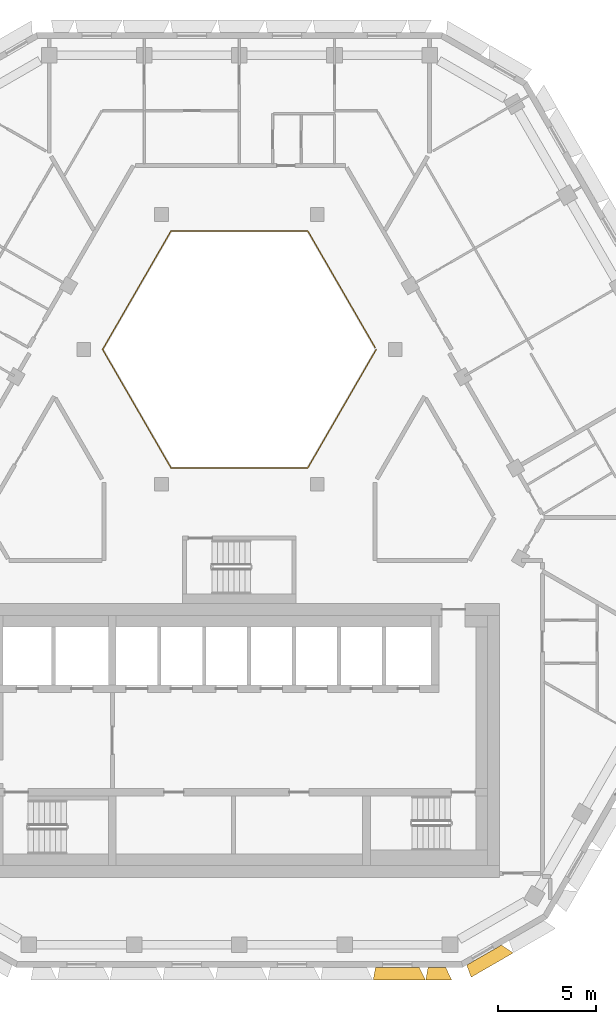
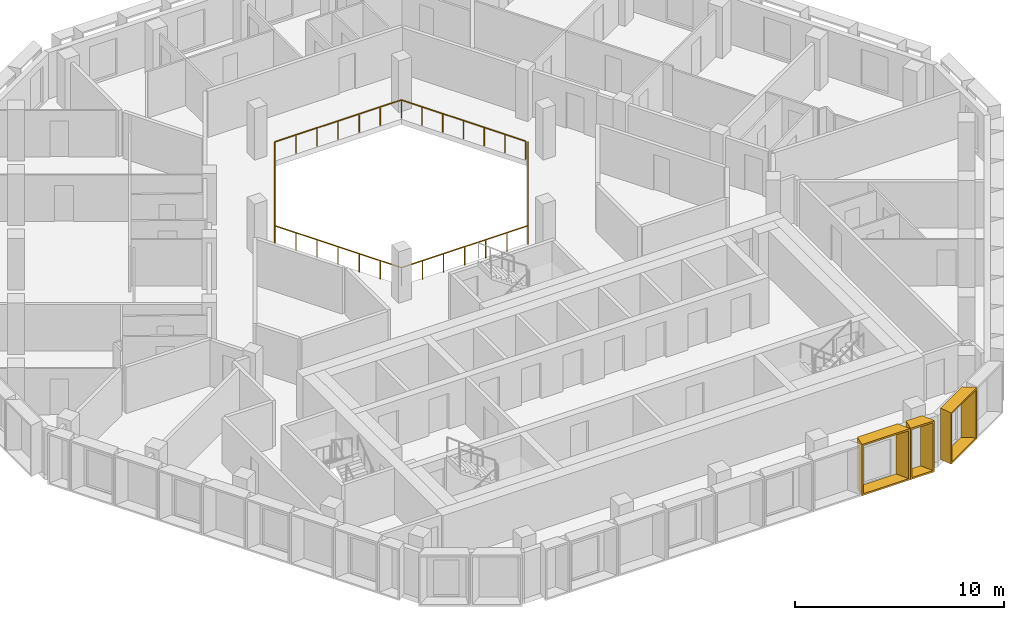
# One storey, part 12 of 14: 3 shading devices, 1 railing.
"""IFC4 building model written with IfcOpenShell, lengths in metres."""

from ifc_helpers import new_model, entity, si_unit, direction, frame, origin, origin_2d, place, context, subcontext, project, spatial, rectangle, extrude, source, transform, mapped, material, type_object, type_shapes, element, save


model = new_model("IFC4")

# Units and contexts
model_context = context("Model", 3, precision=1e-05, world=origin(), true_north=direction((0.0, 1.0)))
body_context = subcontext(model_context, "Body", "Model", "MODEL_VIEW")
ifc_project = project(units=[si_unit("LENGTHUNIT", "METRE"), si_unit("AREAUNIT", "SQUARE_METRE"), si_unit("VOLUMEUNIT", "CUBIC_METRE"), si_unit("PLANEANGLEUNIT", "RADIAN"), si_unit("MASSUNIT", "GRAM", prefix="KILO")], contexts=[model_context])

# Site, building, storey
site_placement = place(None, origin())
site = spatial("IfcSite", under=ifc_project, at=site_placement, CompositionType="ELEMENT")
building_placement = place(site_placement, origin())
building = spatial("IfcBuilding", under=site, at=building_placement, Name="Beryl Residences", CompositionType="ELEMENT")
storey_placement = place(building_placement, frame((0.0, 0.0, 181.199951171875)))
storey = spatial("IfcBuildingStorey", under=building, at=storey_placement, Name="L55", CompositionType="ELEMENT", Elevation=181.199951171875)

# Railing
ifc_material_1 = material(Name="Stainless steel balustrade with glass infill", Category="steel")
railing_type = type_object("IfcRailingType", Name="EG1 edge guard 1100 mm", PredefinedType="GUARDRAIL", material=ifc_material_1)
railing_placement = place(storey_placement, frame((6.9970703125, 8.0, 0.0)))
element("IfcRailing", 1, at=railing_placement, inside=storey, type_object=railing_type, Name="L55 atrium guard", PredefinedType="GUARDRAIL", context=body_context, shape_type="SweptSolid", body=[
    extrude(rectangle(XDim=0.048095703125, YDim=0.048095703125, at=origin_2d()), frame((0.0, 0.0, 1.076171875), z_axis=(-0.499921796684, -0.866070549782, 0.0), x_axis=(0.866070549782, -0.499921796684, 0.0)), (0.0, 0.0, 1.0), 6.9970703125),
    extrude(rectangle(XDim=0.048095703125, YDim=0.048095703125, at=origin_2d()), frame((-3.498046875, -6.06005859375, 1.076171875), z_axis=(-1.0, 0.0, 0.0), x_axis=(0.0, -1.0, 0.0)), (0.0, 0.0, 1.0), 6.998046875),
    extrude(rectangle(XDim=0.048095703125, YDim=0.048095703125, at=origin_2d()), frame((-10.49609375, -6.06005859375, 1.076171875), z_axis=(-0.499921796684, 0.866070549782, 0.0), x_axis=(-0.866070549782, -0.499921796684, 0.0)), (0.0, 0.0, 1.0), 6.9970703125),
    extrude(rectangle(XDim=0.048095703125, YDim=0.048095703125, at=origin_2d()), frame((-13.994140625, 0.0, 1.076171875), z_axis=(0.499921796684, 0.866070549782, 0.0), x_axis=(-0.866070549782, 0.499921796684, 0.0)), (0.0, 0.0, 1.0), 6.9970703125),
    extrude(rectangle(XDim=0.048095703125, YDim=0.048095703125, at=origin_2d()), frame((-10.49609375, 6.06005859375, 1.076171875), z_axis=(1.0, 0.0, 0.0), x_axis=(0.0, 1.0, 0.0)), (0.0, 0.0, 1.0), 6.998046875),
    extrude(rectangle(XDim=0.048095703125, YDim=0.048095703125, at=origin_2d()), frame((-3.498046875, 6.06005859375, 1.076171875), z_axis=(0.499919131929, -0.866072087953, 0.0), x_axis=(0.866072087953, 0.499919131929, 0.0)), (0.0, 0.0, 1.0), 6.877197265625),
    extrude(rectangle(XDim=0.0419921875, YDim=0.0419921875, at=origin_2d()), origin(), (0.0, 0.0, 1.0), 1.052001953125),
    extrude(rectangle(XDim=0.0419921875, YDim=0.0419921875, at=origin_2d()), frame((-0.5830078125, -1.010009765625, 0.0)), (0.0, 0.0, 1.0), 1.052001953125),
    extrude(rectangle(XDim=0.0419921875, YDim=0.0419921875, at=origin_2d()), frame((-1.166015625, -2.02001953125, 0.0)), (0.0, 0.0, 1.0), 1.052001953125),
    extrude(rectangle(XDim=0.0419921875, YDim=0.0419921875, at=origin_2d()), frame((-1.7490234375, -3.030029296875, 0.0)), (0.0, 0.0, 1.0), 1.052001953125),
    extrude(rectangle(XDim=0.0419921875, YDim=0.0419921875, at=origin_2d()), frame((-2.33203125, -4.0400390625, 0.0)), (0.0, 0.0, 1.0), 1.052001953125),
    extrude(rectangle(XDim=0.0419921875, YDim=0.0419921875, at=origin_2d()), frame((-2.9150390625, -5.050048828125, 0.0)), (0.0, 0.0, 1.0), 1.052001953125),
    extrude(rectangle(XDim=0.0419921875, YDim=0.0419921875, at=origin_2d()), frame((-3.498046875, -6.06005859375, 0.0)), (0.0, 0.0, 1.0), 1.052001953125),
    extrude(rectangle(XDim=0.0419921875, YDim=0.0419921875, at=origin_2d()), frame((-4.664306640625, -6.06005859375, 0.0)), (0.0, 0.0, 1.0), 1.052001953125),
    extrude(rectangle(XDim=0.0419921875, YDim=0.0419921875, at=origin_2d()), frame((-5.830810546875, -6.06005859375, 0.0)), (0.0, 0.0, 1.0), 1.052001953125),
    extrude(rectangle(XDim=0.0419921875, YDim=0.0419921875, at=origin_2d()), frame((-6.9970703125, -6.06005859375, 0.0)), (0.0, 0.0, 1.0), 1.052001953125),
    extrude(rectangle(XDim=0.0419921875, YDim=0.0419921875, at=origin_2d()), frame((-8.163330078125, -6.06005859375, 0.0)), (0.0, 0.0, 1.0), 1.052001953125),
    extrude(rectangle(XDim=0.0419921875, YDim=0.0419921875, at=origin_2d()), frame((-9.329833984375, -6.06005859375, 0.0)), (0.0, 0.0, 1.0), 1.052001953125),
    extrude(rectangle(XDim=0.0419921875, YDim=0.0419921875, at=origin_2d()), frame((-10.49609375, -6.06005859375, 0.0)), (0.0, 0.0, 1.0), 1.052001953125),
    extrude(rectangle(XDim=0.0419921875, YDim=0.0419921875, at=origin_2d()), frame((-11.0791015625, -5.050048828125, 0.0)), (0.0, 0.0, 1.0), 1.052001953125),
    extrude(rectangle(XDim=0.0419921875, YDim=0.0419921875, at=origin_2d()), frame((-11.662109375, -4.0400390625, 0.0)), (0.0, 0.0, 1.0), 1.052001953125),
    extrude(rectangle(XDim=0.0419921875, YDim=0.0419921875, at=origin_2d()), frame((-12.2451171875, -3.030029296875, 0.0)), (0.0, 0.0, 1.0), 1.052001953125),
    extrude(rectangle(XDim=0.0419921875, YDim=0.0419921875, at=origin_2d()), frame((-12.828125, -2.02001953125, 0.0)), (0.0, 0.0, 1.0), 1.052001953125),
    extrude(rectangle(XDim=0.0419921875, YDim=0.0419921875, at=origin_2d()), frame((-13.4111328125, -1.010009765625, 0.0)), (0.0, 0.0, 1.0), 1.052001953125),
    extrude(rectangle(XDim=0.0419921875, YDim=0.0419921875, at=origin_2d()), frame((-13.994140625, 0.0, 0.0)), (0.0, 0.0, 1.0), 1.052001953125),
    extrude(rectangle(XDim=0.0419921875, YDim=0.0419921875, at=origin_2d()), frame((-13.4111328125, 1.010009765625, 0.0)), (0.0, 0.0, 1.0), 1.052001953125),
    extrude(rectangle(XDim=0.0419921875, YDim=0.0419921875, at=origin_2d()), frame((-12.828125, 2.02001953125, 0.0)), (0.0, 0.0, 1.0), 1.052001953125),
    extrude(rectangle(XDim=0.0419921875, YDim=0.0419921875, at=origin_2d()), frame((-12.2451171875, 3.030029296875, 0.0)), (0.0, 0.0, 1.0), 1.052001953125),
    extrude(rectangle(XDim=0.0419921875, YDim=0.0419921875, at=origin_2d()), frame((-11.662109375, 4.0400390625, 0.0)), (0.0, 0.0, 1.0), 1.052001953125),
    extrude(rectangle(XDim=0.0419921875, YDim=0.0419921875, at=origin_2d()), frame((-11.0791015625, 5.050048828125, 0.0)), (0.0, 0.0, 1.0), 1.052001953125),
    extrude(rectangle(XDim=0.0419921875, YDim=0.0419921875, at=origin_2d()), frame((-10.49609375, 6.06005859375, 0.0)), (0.0, 0.0, 1.0), 1.052001953125),
    extrude(rectangle(XDim=0.0419921875, YDim=0.0419921875, at=origin_2d()), frame((-9.329833984375, 6.06005859375, 0.0)), (0.0, 0.0, 1.0), 1.052001953125),
    extrude(rectangle(XDim=0.0419921875, YDim=0.0419921875, at=origin_2d()), frame((-8.163330078125, 6.06005859375, 0.0)), (0.0, 0.0, 1.0), 1.052001953125),
    extrude(rectangle(XDim=0.0419921875, YDim=0.0419921875, at=origin_2d()), frame((-6.9970703125, 6.06005859375, 0.0)), (0.0, 0.0, 1.0), 1.052001953125),
    extrude(rectangle(XDim=0.0419921875, YDim=0.0419921875, at=origin_2d()), frame((-5.830810546875, 6.06005859375, 0.0)), (0.0, 0.0, 1.0), 1.052001953125),
    extrude(rectangle(XDim=0.0419921875, YDim=0.0419921875, at=origin_2d()), frame((-4.664306640625, 6.06005859375, 0.0)), (0.0, 0.0, 1.0), 1.052001953125),
    extrude(rectangle(XDim=0.0419921875, YDim=0.0419921875, at=origin_2d()), frame((-3.498046875, 6.06005859375, 0.0)), (0.0, 0.0, 1.0), 1.052001953125),
    extrude(rectangle(XDim=0.0419921875, YDim=0.0419921875, at=origin_2d()), frame((-2.925048828125, 5.0673828125, 0.0)), (0.0, 0.0, 1.0), 1.052001953125),
    extrude(rectangle(XDim=0.0419921875, YDim=0.0419921875, at=origin_2d()), frame((-2.35205078125, 4.07470703125, 0.0)), (0.0, 0.0, 1.0), 1.052001953125),
    extrude(rectangle(XDim=0.0419921875, YDim=0.0419921875, at=origin_2d()), frame((-1.779052734375, 3.08203125, 0.0)), (0.0, 0.0, 1.0), 1.052001953125),
    extrude(rectangle(XDim=0.0419921875, YDim=0.0419921875, at=origin_2d()), frame((-1.2060546875, 2.08935546875, 0.0)), (0.0, 0.0, 1.0), 1.052001953125),
    extrude(rectangle(XDim=0.0419921875, YDim=0.0419921875, at=origin_2d()), frame((-0.633056640625, 1.0966796875, 0.0)), (0.0, 0.0, 1.0), 1.052001953125),
    extrude(rectangle(XDim=0.0419921875, YDim=0.0419921875, at=origin_2d()), frame((-0.06005859375, 0.10400390625, 0.0)), (0.0, 0.0, 1.0), 1.052001953125),
])

# Shading devices
ifc_material_2 = material(Name="Aluminium pale anodised", Category="aluminium")
shading_device_type_1 = type_object("IfcShadingDeviceType", Name="FR135-65C OUTER SKIN frame 650 mm deep, splay 10/26 deg, 1350 x 3000 mm cell", PredefinedType="USERDEFINED", material=ifc_material_2)
cartesian_point_1 = entity("IfcCartesianPoint", [-0.448974609375, 0.0])
cartesian_point_2 = entity("IfcCartesianPoint", [-0.36767578125, 0.10009765625])
cartesian_point_3 = entity("IfcCartesianPoint", [-0.563720703125, 0.0])
cartesian_point_4 = entity("IfcCartesianPoint", [-0.482421875, 0.10009765625])
shared_shape_1 = source(origin(), body_context, "Body", "SweptSolid", [
    entity("IfcExtrudedAreaSolidTapered", entity("IfcArbitraryProfileDefWithVoids", "AREA", None, entity("IfcPolyline", [cartesian_point_1, entity("IfcCartesianPoint", [0.448974609375, 0.0]), entity("IfcCartesianPoint", [0.448974609375, 3.0]), entity("IfcCartesianPoint", [-0.448974609375, 3.0]), cartesian_point_1]), [entity("IfcPolyline", [cartesian_point_2, entity("IfcCartesianPoint", [0.360107421875, 0.10009765625]), entity("IfcCartesianPoint", [0.360107421875, 2.89990234375]), entity("IfcCartesianPoint", [-0.36767578125, 2.89990234375]), cartesian_point_2])]), entity("IfcAxis2Placement3D", entity("IfcCartesianPoint", [0.0, 0.0, 0.0]), entity("IfcDirection", [0.0, 1.0, 0.0]), entity("IfcDirection", [-1.0, 0.0, 0.0])), entity("IfcDirection", [0.0, 0.0, 1.0]), 0.64990234375, entity("IfcArbitraryProfileDefWithVoids", "AREA", None, entity("IfcPolyline", [cartesian_point_3, entity("IfcCartesianPoint", [0.76611328125, 0.0]), entity("IfcCartesianPoint", [0.76611328125, 3.0]), entity("IfcCartesianPoint", [-0.563720703125, 3.0]), cartesian_point_3]), [entity("IfcPolyline", [cartesian_point_4, entity("IfcCartesianPoint", [0.677001953125, 0.10009765625]), entity("IfcCartesianPoint", [0.677001953125, 2.89990234375]), entity("IfcCartesianPoint", [-0.482421875, 2.89990234375]), cartesian_point_4])])),
])
type_shapes(shading_device_type_1, [shared_shape_1])
shading_device_1_placement = place(storey_placement, frame((10.095947265625, -23.60009765625, 0.0), z_axis=(0.0, 0.0, 1.0), x_axis=(-1.0, 0.0, 0.0)))
element("IfcShadingDevice", 2, at=shading_device_1_placement, inside=storey, type_object=shading_device_type_1, Name="FR135-65C frame L55 S 9", ObjectType="OUTER SKIN", PredefinedType="USERDEFINED", context=body_context, shape_type="MappedRepresentation", body=[
    mapped(shared_shape_1, transform((0.0, 0.0, 0.0))),
])
ifc_material_3 = material(Name="Aluminium pale anodised", Category="aluminium")
shading_device_type_2 = type_object("IfcShadingDeviceType", Name="FR250-65C OUTER SKIN frame 650 mm deep, splay 10/26 deg, 2500 x 3000 mm cell", PredefinedType="USERDEFINED", material=ifc_material_3)
cartesian_point_5 = entity("IfcCartesianPoint", [-1.02392578125, 0.0])
cartesian_point_6 = entity("IfcCartesianPoint", [-0.94287109375, 0.10009765625])
cartesian_point_7 = entity("IfcCartesianPoint", [-1.138671875, 0.0])
cartesian_point_8 = entity("IfcCartesianPoint", [-1.057373046875, 0.10009765625])
shared_shape_2 = source(origin(), body_context, "Body", "SweptSolid", [
    entity("IfcExtrudedAreaSolidTapered", entity("IfcArbitraryProfileDefWithVoids", "AREA", None, entity("IfcPolyline", [cartesian_point_5, entity("IfcCartesianPoint", [1.02392578125, 0.0]), entity("IfcCartesianPoint", [1.02392578125, 3.0]), entity("IfcCartesianPoint", [-1.02392578125, 3.0]), cartesian_point_5]), [entity("IfcPolyline", [cartesian_point_6, entity("IfcCartesianPoint", [0.93505859375, 0.10009765625]), entity("IfcCartesianPoint", [0.93505859375, 2.89990234375]), entity("IfcCartesianPoint", [-0.94287109375, 2.89990234375]), cartesian_point_6])]), entity("IfcAxis2Placement3D", entity("IfcCartesianPoint", [0.0, 0.0, 0.0]), entity("IfcDirection", [0.0, 1.0, 0.0]), entity("IfcDirection", [-1.0, 0.0, 0.0])), entity("IfcDirection", [0.0, 0.0, 1.0]), 0.64990234375, entity("IfcArbitraryProfileDefWithVoids", "AREA", None, entity("IfcPolyline", [cartesian_point_7, entity("IfcCartesianPoint", [1.341064453125, 0.0]), entity("IfcCartesianPoint", [1.341064453125, 3.0]), entity("IfcCartesianPoint", [-1.138671875, 3.0]), cartesian_point_7]), [entity("IfcPolyline", [cartesian_point_8, entity("IfcCartesianPoint", [1.251953125, 0.10009765625]), entity("IfcCartesianPoint", [1.251953125, 2.89990234375]), entity("IfcCartesianPoint", [-1.057373046875, 2.89990234375]), cartesian_point_8])])),
])
type_shapes(shading_device_type_2, [shared_shape_2])
shading_device_2_placement = place(storey_placement, frame((12.513916015625, -22.97509765625, 0.0), z_axis=(0.0, 0.0, 1.0), x_axis=(-0.866025403784, -0.5, 0.0)))
element("IfcShadingDevice", 3, at=shading_device_2_placement, inside=storey, type_object=shading_device_type_2, Name="FR250-65C frame L55 S-SE 1", ObjectType="OUTER SKIN", PredefinedType="USERDEFINED", context=body_context, shape_type="MappedRepresentation", body=[
    mapped(shared_shape_2, transform((0.0, 0.0, 0.0))),
])
ifc_material_4 = material(Name="Aluminium pale anodised", Category="aluminium")
shading_device_type_3 = type_object("IfcShadingDeviceType", Name="FR269-65C OUTER SKIN frame 650 mm deep, splay 10/26 deg, 2690 x 3000 mm cell", PredefinedType="USERDEFINED", material=ifc_material_4)
cartesian_point_9 = entity("IfcCartesianPoint", [-1.118896484375, 0.0])
cartesian_point_10 = entity("IfcCartesianPoint", [-1.037841796875, 0.10009765625])
cartesian_point_11 = entity("IfcCartesianPoint", [-1.233642578125, 0.0])
cartesian_point_12 = entity("IfcCartesianPoint", [-1.15234375, 0.10009765625])
shared_shape_3 = source(origin(), body_context, "Body", "SweptSolid", [
    entity("IfcExtrudedAreaSolidTapered", entity("IfcArbitraryProfileDefWithVoids", "AREA", None, entity("IfcPolyline", [cartesian_point_9, entity("IfcCartesianPoint", [1.118896484375, 0.0]), entity("IfcCartesianPoint", [1.118896484375, 3.0]), entity("IfcCartesianPoint", [-1.118896484375, 3.0]), cartesian_point_9]), [entity("IfcPolyline", [cartesian_point_10, entity("IfcCartesianPoint", [1.030029296875, 0.10009765625]), entity("IfcCartesianPoint", [1.030029296875, 2.89990234375]), entity("IfcCartesianPoint", [-1.037841796875, 2.89990234375]), cartesian_point_10])]), entity("IfcAxis2Placement3D", entity("IfcCartesianPoint", [0.0, 0.0, 0.0]), entity("IfcDirection", [0.0, 1.0, 0.0]), entity("IfcDirection", [-1.0, 0.0, 0.0])), entity("IfcDirection", [0.0, 0.0, 1.0]), 0.64990234375, entity("IfcArbitraryProfileDefWithVoids", "AREA", None, entity("IfcPolyline", [cartesian_point_11, entity("IfcCartesianPoint", [1.43603515625, 0.0]), entity("IfcCartesianPoint", [1.43603515625, 3.0]), entity("IfcCartesianPoint", [-1.233642578125, 3.0]), cartesian_point_11]), [entity("IfcPolyline", [cartesian_point_12, entity("IfcCartesianPoint", [1.346923828125, 0.10009765625]), entity("IfcCartesianPoint", [1.346923828125, 2.89990234375]), entity("IfcCartesianPoint", [-1.15234375, 2.89990234375]), cartesian_point_12])])),
])
type_shapes(shading_device_type_3, [shared_shape_3])
shading_device_3_placement = place(storey_placement, frame((8.076904296875, -23.60009765625, 0.0), z_axis=(0.0, 0.0, 1.0), x_axis=(-1.0, 0.0, 0.0)))
element("IfcShadingDevice", 4, at=shading_device_3_placement, inside=storey, type_object=shading_device_type_3, Name="FR269-65C frame L55 S 8", ObjectType="OUTER SKIN", PredefinedType="USERDEFINED", context=body_context, shape_type="MappedRepresentation", body=[
    mapped(shared_shape_3, transform((0.0, 0.0, 0.0))),
])

save(model, "model.ifc")
